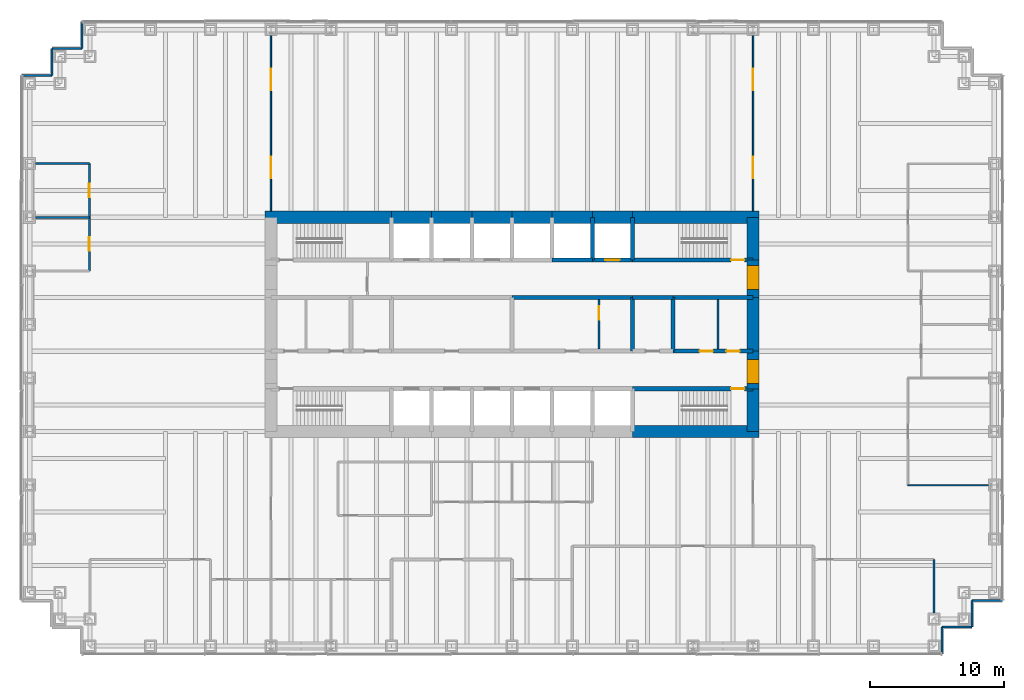
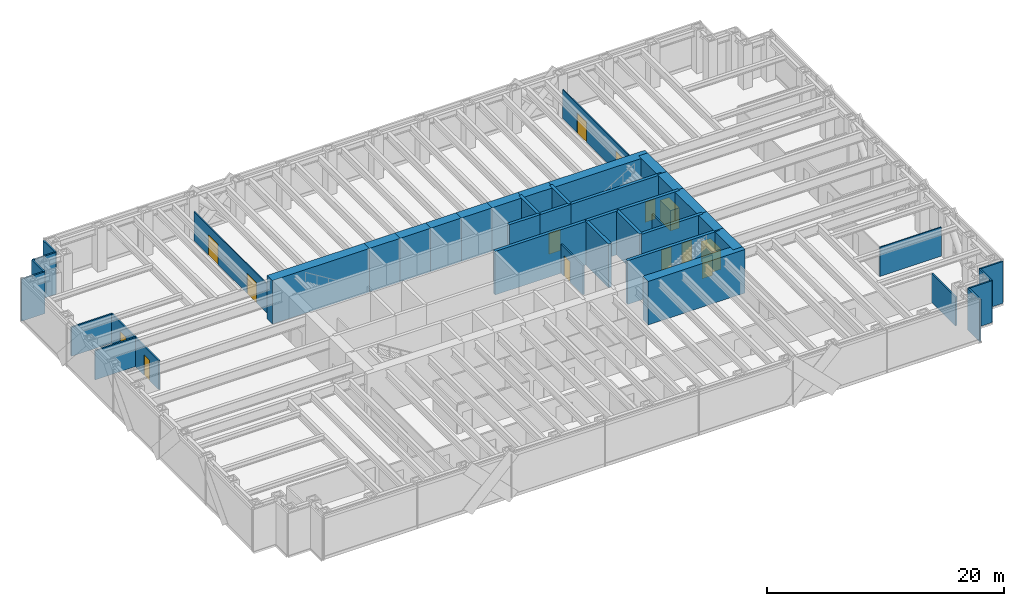
# One storey, part 11 of 13: 43 walls, 14 doors, 14 openings.
"""IFC4 building model written with IfcOpenShell, lengths in metres."""

from ifc_helpers import new_model, si_unit, direction, frame, frame_2d, origin, place, context, subcontext, project, spatial, rectangle, extrude, material, layer, layer_set, type_object, element, fill, save


model = new_model("IFC4")

# Units and contexts
model_context = context("Model", 3, precision=1e-05, world=origin(), true_north=direction((0.0, 1.0)))
body_context = subcontext(model_context, "Body", "Model", "MODEL_VIEW")
ifc_project = project(units=[si_unit("LENGTHUNIT", "METRE"), si_unit("AREAUNIT", "SQUARE_METRE"), si_unit("VOLUMEUNIT", "CUBIC_METRE"), si_unit("PLANEANGLEUNIT", "RADIAN"), si_unit("MASSUNIT", "GRAM", prefix="KILO")], contexts=[model_context])

# Site, building, storey
site_placement = place(None, origin())
site = spatial("IfcSite", under=ifc_project, at=site_placement, CompositionType="ELEMENT")
building_placement = place(site_placement, origin())
building = spatial("IfcBuilding", under=site, at=building_placement, Name="Rheinbord Bourse Tower", CompositionType="ELEMENT")
storey_placement = place(building_placement, frame((0.0, 0.0, 45.5)))
storey = spatial("IfcBuildingStorey", under=building, at=storey_placement, Name="L09", CompositionType="ELEMENT", Elevation=45.5)

# Wall, opening, door
ifc_material_1 = material(Name="Concrete C50/60", Category="concrete")
ifc_layer_1 = layer(ifc_material_1, 0.300048828125)
ifc_layer_set_1 = layer_set([ifc_layer_1], Name="CORE INNER WALL 300")
wall_type_1 = type_object("IfcWallType", Name="CORE INNER WALL 300", PredefinedType="SOLIDWALL", material=ifc_layer_set_1)
wall_1_placement = place(storey_placement, frame((45.0, 19.199951171875, 0.0), z_axis=(0.0, 0.0, 1.0), x_axis=(1.0, 0.0, 0.0)))
wall_1 = element("IfcWall", 1, at=wall_1_placement, inside=storey, type_object=wall_type_1, Name="Core wall A8 L09", PredefinedType="SOLIDWALL", context=body_context, shape_type="SweptSolid", body=[
    extrude(rectangle(XDim=9.0, YDim=0.300048828125, at=frame_2d((4.5, 0.0))), origin(), (0.0, 0.0, 1.0), 4.5),
])
opening_1_placement = place(wall_1_placement, frame((7.35009765625, 0.0, 0.0)))
opening_1 = element("IfcOpeningElement", 2, at=opening_1_placement, cuts=wall_1, Name="Opening 0930", PredefinedType="OPENING", context=body_context, shape_type="SweptSolid", body=[
    extrude(rectangle(XDim=1.0, YDim=2.10009765625, at=frame_2d((0.5, 1.050048828125))), frame((0.0, 0.159912109375, 0.0), z_axis=(0.0, -1.0, 0.0), x_axis=(1.0, 0.0, 0.0)), (0.0, 0.0, 1.0), 0.320068359375),
])
ifc_material_2 = material(Name="Steel door", Category="steel")
door_type_1 = type_object("IfcDoorType", Name="DOOR 1000 EI30", OperationType="SINGLE_SWING_LEFT", PredefinedType="DOOR", material=ifc_material_2)
door_1_placement = place(opening_1_placement, origin())
door_1 = element("IfcDoor", 3, at=door_1_placement, inside=storey, type_object=door_type_1, Name="Stair door ST3 L09", OperationType="SINGLE_SWING_RIGHT", OverallHeight=2.10009765625, OverallWidth=1.0, PredefinedType="DOOR", context=body_context, shape_type="SweptSolid", body=[
    extrude(rectangle(XDim=1.0, YDim=2.10009765625, at=frame_2d((0.5, 1.050048828125))), frame((0.0, 0.02490234375, 0.0), z_axis=(0.0, -1.0, 0.0), x_axis=(1.0, 0.0, 0.0)), (0.0, 0.0, 1.0), 0.050048828125),
])
fill(opening_1, door_1)

# Wall
wall_2_placement = place(storey_placement, frame((39.0, 28.800048828125, 0.0), z_axis=(0.0, 0.0, 1.0), x_axis=(1.0, 0.0, 0.0)))
element("IfcWall", 4, at=wall_2_placement, inside=storey, type_object=wall_type_1, Name="Core wall B6 L09", PredefinedType="SOLIDWALL", context=body_context, shape_type="SweptSolid", body=[
    extrude(rectangle(XDim=3.0, YDim=0.300048828125, at=frame_2d((1.5, 0.0))), origin(), (0.0, 0.0, 1.0), 4.5),
])

# Wall, opening, door
wall_3_placement = place(storey_placement, frame((42.0, 28.800048828125, 0.0), z_axis=(0.0, 0.0, 1.0), x_axis=(1.0, 0.0, 0.0)))
wall_3 = element("IfcWall", 5, at=wall_3_placement, inside=storey, type_object=wall_type_1, Name="Core wall B7 L09", PredefinedType="SOLIDWALL", context=body_context, shape_type="SweptSolid", body=[
    extrude(rectangle(XDim=3.0, YDim=0.300048828125, at=frame_2d((1.5, 0.0))), origin(), (0.0, 0.0, 1.0), 4.5),
])
opening_2_placement = place(wall_3_placement, frame((0.949951171875, 0.0, 0.0)))
opening_2 = element("IfcOpeningElement", 6, at=opening_2_placement, cuts=wall_3, Name="Opening FL2", PredefinedType="OPENING", context=body_context, shape_type="SweptSolid", body=[
    extrude(rectangle(XDim=1.10009765625, YDim=2.199951171875, at=frame_2d((0.550048828125, 1.10009765625))), frame((0.0, 0.159912109375, 0.0), z_axis=(0.0, -1.0, 0.0), x_axis=(1.0, 0.0, 0.0)), (0.0, 0.0, 1.0), 0.320068359375),
])
ifc_material_3 = material(Name="Steel landing door", Category="steel")
door_type_2 = type_object("IfcDoorType", Name="LIFT LANDING DOOR 1100", OperationType="DOUBLE_DOOR_SLIDING", PredefinedType="USERDEFINED", material=ifc_material_3)
door_2_placement = place(opening_2_placement, origin())
door_2 = element("IfcDoor", 7, at=door_2_placement, inside=storey, type_object=door_type_2, Name="Lift landing door FL2 L09", ObjectType="LIFT LANDING DOOR", OperationType="DOUBLE_DOOR_SLIDING", OverallHeight=2.199951171875, OverallWidth=1.10009765625, PredefinedType="USERDEFINED", context=body_context, shape_type="SweptSolid", body=[
    extrude(rectangle(XDim=1.10009765625, YDim=2.199951171875, at=frame_2d((0.550048828125, 1.10009765625))), frame((0.0, 0.02490234375, 0.0), z_axis=(0.0, -1.0, 0.0), x_axis=(1.0, 0.0, 0.0)), (0.0, 0.0, 1.0), 0.050048828125),
])
fill(opening_2, door_2)

wall_4_placement = place(storey_placement, frame((45.0, 28.800048828125, 0.0), z_axis=(0.0, 0.0, 1.0), x_axis=(1.0, 0.0, 0.0)))
wall_4 = element("IfcWall", 8, at=wall_4_placement, inside=storey, type_object=wall_type_1, Name="Core wall B8 L09", PredefinedType="SOLIDWALL", context=body_context, shape_type="SweptSolid", body=[
    extrude(rectangle(XDim=9.0, YDim=0.300048828125, at=frame_2d((4.5, 0.0))), origin(), (0.0, 0.0, 1.0), 4.5),
])
opening_3_placement = place(wall_4_placement, frame((7.35009765625, 0.0, 0.0)))
opening_3 = element("IfcOpeningElement", 9, at=opening_3_placement, cuts=wall_4, Name="Opening 0940", PredefinedType="OPENING", context=body_context, shape_type="SweptSolid", body=[
    extrude(rectangle(XDim=1.0, YDim=2.10009765625, at=frame_2d((0.5, 1.050048828125))), frame((0.0, 0.159912109375, 0.0), z_axis=(0.0, -1.0, 0.0), x_axis=(1.0, 0.0, 0.0)), (0.0, 0.0, 1.0), 0.320068359375),
])
door_3_placement = place(opening_3_placement, origin())
door_3 = element("IfcDoor", 10, at=door_3_placement, inside=storey, type_object=door_type_1, Name="Stair door ST4 L09", OperationType="SINGLE_SWING_RIGHT", OverallHeight=2.10009765625, OverallWidth=1.0, PredefinedType="DOOR", context=body_context, shape_type="SweptSolid", body=[
    extrude(rectangle(XDim=1.0, YDim=2.10009765625, at=frame_2d((0.5, 1.050048828125))), frame((0.0, 0.02490234375, 0.0), z_axis=(0.0, -1.0, 0.0), x_axis=(1.0, 0.0, 0.0)), (0.0, 0.0, 1.0), 0.050048828125),
])
fill(opening_3, door_3)

# Wall, openings, doors
wall_5_placement = place(storey_placement, frame((48.0, 22.0, 0.0), z_axis=(0.0, 0.0, 1.0), x_axis=(1.0, 0.0, 0.0)))
wall_5 = element("IfcWall", 11, at=wall_5_placement, inside=storey, type_object=wall_type_1, Name="Core wall C6 L09", PredefinedType="SOLIDWALL", context=body_context, shape_type="SweptSolid", body=[
    extrude(rectangle(XDim=6.0, YDim=0.300048828125, at=frame_2d((3.0, 0.0))), origin(), (0.0, 0.0, 1.0), 4.5),
])
opening_4_placement = place(wall_5_placement, frame((2.0, 0.0, 0.0)))
opening_4 = element("IfcOpeningElement", 12, at=opening_4_placement, cuts=wall_5, Name="Opening 09R6", PredefinedType="OPENING", context=body_context, shape_type="SweptSolid", body=[
    extrude(rectangle(XDim=1.0, YDim=2.10009765625, at=frame_2d((0.5, 1.050048828125))), frame((0.0, 0.159912109375, 0.0), z_axis=(0.0, -1.0, 0.0), x_axis=(1.0, 0.0, 0.0)), (0.0, 0.0, 1.0), 0.320068359375),
])
opening_5_placement = place(wall_5_placement, frame((4.0, 0.0, 0.0)))
opening_5 = element("IfcOpeningElement", 13, at=opening_5_placement, cuts=wall_5, Name="Opening 09R10", PredefinedType="OPENING", context=body_context, shape_type="SweptSolid", body=[
    extrude(rectangle(XDim=1.0, YDim=2.10009765625, at=frame_2d((0.5, 1.050048828125))), frame((0.0, 0.159912109375, 0.0), z_axis=(0.0, -1.0, 0.0), x_axis=(1.0, 0.0, 0.0)), (0.0, 0.0, 1.0), 0.320068359375),
])
door_4_placement = place(opening_5_placement, origin())
door_4 = element("IfcDoor", 14, at=door_4_placement, inside=storey, type_object=door_type_1, Name="Cleaner's store door L09", OperationType="SINGLE_SWING_RIGHT", OverallHeight=2.10009765625, OverallWidth=1.0, PredefinedType="DOOR", context=body_context, shape_type="SweptSolid", body=[
    extrude(rectangle(XDim=1.0, YDim=2.10009765625, at=frame_2d((0.5, 1.050048828125))), frame((0.0, 0.02490234375, 0.0), z_axis=(0.0, -1.0, 0.0), x_axis=(1.0, 0.0, 0.0)), (0.0, 0.0, 1.0), 0.050048828125),
])
fill(opening_5, door_4)
ifc_material_4 = material(Name="Timber door", Category="wood")
door_type_3 = type_object("IfcDoorType", Name="DOOR 1000 WC", OperationType="SINGLE_SWING_LEFT", PredefinedType="DOOR", material=ifc_material_4)
door_5_placement = place(opening_4_placement, origin())
door_5 = element("IfcDoor", 15, at=door_5_placement, inside=storey, type_object=door_type_3, Name="WC women door L09", OperationType="SINGLE_SWING_LEFT", OverallHeight=2.10009765625, OverallWidth=1.0, PredefinedType="DOOR", context=body_context, shape_type="SweptSolid", body=[
    extrude(rectangle(XDim=1.0, YDim=2.10009765625, at=frame_2d((0.5, 1.050048828125))), frame((0.0, 0.02490234375, 0.0), z_axis=(0.0, -1.0, 0.0), x_axis=(1.0, 0.0, 0.0)), (0.0, 0.0, 1.0), 0.050048828125),
])
fill(opening_4, door_5)

# Walls
wall_6_placement = place(storey_placement, frame((36.0, 26.0, 0.0), z_axis=(0.0, 0.0, 1.0), x_axis=(1.0, 0.0, 0.0)))
element("IfcWall", 16, at=wall_6_placement, inside=storey, type_object=wall_type_1, Name="Core wall D4 L09", PredefinedType="SOLIDWALL", context=body_context, shape_type="SweptSolid", body=[
    extrude(rectangle(XDim=9.0, YDim=0.300048828125, at=frame_2d((4.5, 0.0))), origin(), (0.0, 0.0, 1.0), 4.5),
])
wall_7_placement = place(storey_placement, frame((45.0, 26.0, 0.0), z_axis=(0.0, 0.0, 1.0), x_axis=(1.0, 0.0, 0.0)))
element("IfcWall", 17, at=wall_7_placement, inside=storey, type_object=wall_type_1, Name="Core wall D5 L09", PredefinedType="SOLIDWALL", context=body_context, shape_type="SweptSolid", body=[
    extrude(rectangle(XDim=3.0, YDim=0.300048828125, at=frame_2d((1.5, 0.0))), origin(), (0.0, 0.0, 1.0), 4.5),
])
wall_8_placement = place(storey_placement, frame((48.0, 26.0, 0.0), z_axis=(0.0, 0.0, 1.0), x_axis=(1.0, 0.0, 0.0)))
element("IfcWall", 18, at=wall_8_placement, inside=storey, type_object=wall_type_1, Name="Core wall D6 L09", PredefinedType="SOLIDWALL", context=body_context, shape_type="SweptSolid", body=[
    extrude(rectangle(XDim=6.0, YDim=0.300048828125, at=frame_2d((3.0, 0.0))), origin(), (0.0, 0.0, 1.0), 4.5),
])
for number, where, z_axis, x_axis, name in (
    (19, (42.0, 28.800048828125, 0.0), (0.0, 0.0, 1.0), (0.0, 1.0, 0.0), "Core wall NX42 L09"),
    (20, (45.0, 28.800048828125, 0.0), (0.0, 0.0, 1.0), (0.0, 1.0, 0.0), "Core wall NX45 L09"),
):
    element("IfcWall", number, at=place(storey_placement, frame(where, z_axis=z_axis, x_axis=x_axis)), inside=storey, type_object=wall_type_1, Name=name, PredefinedType="SOLIDWALL", context=body_context, shape_type="SweptSolid", body=[
        extrude(rectangle(XDim=3.199951171875, YDim=0.300048828125, at=frame_2d((1.60009765625, 0.0))), origin(), (0.0, 0.0, 1.0), 4.5),
    ])
for number, where, z_axis, x_axis, name in (
    (21, (45.0, 22.0, 0.0), (0.0, 0.0, 1.0), (0.0, 1.0, 0.0), "Core wall MX45 L09"),
    (22, (48.0, 22.0, 0.0), (0.0, 0.0, 1.0), (0.0, 1.0, 0.0), "Core wall MX48 L09"),
):
    element("IfcWall", number, at=place(storey_placement, frame(where, z_axis=z_axis, x_axis=x_axis)), inside=storey, type_object=wall_type_1, Name=name, PredefinedType="SOLIDWALL", context=body_context, shape_type="SweptSolid", body=[
        extrude(rectangle(XDim=4.0, YDim=0.300048828125, at=frame_2d((2.0, 0.0))), origin(), (0.0, 0.0, 1.0), 4.5),
    ])

# Wall, opening, door
ifc_material_5 = material(Name="Gypsum board fire partition", Category="gypsum board")
ifc_layer_2 = layer(ifc_material_5, 0.14990234375)
ifc_layer_set_2 = layer_set([ifc_layer_2], Name="CORE PARTITION 150 EI30")
wall_type_2 = type_object("IfcWallType", Name="CORE PARTITION 150 EI30", PredefinedType="PARTITIONING", material=ifc_layer_set_2)
wall_9_placement = place(storey_placement, frame((42.5, 22.14990234375, 0.0), z_axis=(0.0, 0.0, 1.0), x_axis=(0.0, 1.0, 0.0)))
wall_9 = element("IfcWall", 23, at=wall_9_placement, inside=storey, type_object=wall_type_2, Name="Core partition L09-1", PredefinedType="PARTITIONING", context=body_context, shape_type="SweptSolid", body=[
    extrude(rectangle(XDim=3.7001953125, YDim=0.14990234375, at=frame_2d((1.85009765625, 0.0))), origin(), (0.0, 0.0, 1.0), 3.0),
])
opening_6_placement = place(wall_9_placement, frame((2.199951171875, 0.0, 0.0)))
opening_6 = element("IfcOpeningElement", 24, at=opening_6_placement, cuts=wall_9, Name="Opening 09R7", PredefinedType="OPENING", context=body_context, shape_type="SweptSolid", body=[
    extrude(rectangle(XDim=1.0, YDim=2.10009765625, at=frame_2d((0.5, 1.050048828125))), frame((0.0, 0.0849609375, 0.0), z_axis=(0.0, -1.0, 0.0), x_axis=(1.0, 0.0, 0.0)), (0.0, 0.0, 1.0), 0.169921875),
])
door_6_placement = place(opening_6_placement, origin())
door_6 = element("IfcDoor", 25, at=door_6_placement, inside=storey, type_object=door_type_1, Name="Paper store door L09", OperationType="SINGLE_SWING_RIGHT", OverallHeight=2.10009765625, OverallWidth=1.0, PredefinedType="DOOR", context=body_context, shape_type="SweptSolid", body=[
    extrude(rectangle(XDim=1.0, YDim=2.10009765625, at=frame_2d((0.5, 1.050048828125))), frame((0.0, 0.02490234375, 0.0), z_axis=(0.0, -1.0, 0.0), x_axis=(1.0, 0.0, 0.0)), (0.0, 0.0, 1.0), 0.050048828125),
])
fill(opening_6, door_6)

# Walls
wall_10_placement = place(storey_placement, frame((51.375, 22.14990234375, 0.0), z_axis=(0.0, 0.0, 1.0), x_axis=(0.0, 1.0, 0.0)))
element("IfcWall", 26, at=wall_10_placement, inside=storey, type_object=wall_type_2, Name="Core partition L09-3", PredefinedType="PARTITIONING", context=body_context, shape_type="SweptSolid", body=[
    extrude(rectangle(XDim=3.7001953125, YDim=0.14990234375, at=frame_2d((1.85009765625, 0.0))), origin(), (0.0, 0.0, 1.0), 3.0),
])
ifc_material_6 = material(Name="Concrete C50/60", Category="concrete")
ifc_layer_3 = layer(ifc_material_6, 0.89990234375)
ifc_layer_set_3 = layer_set([ifc_layer_3], Name="CORE WALL 900")
wall_type_3 = type_object("IfcWallType", Name="CORE WALL 900", PredefinedType="SHEAR", material=ifc_layer_set_3)
for number, where, z_axis, x_axis, name in (
    (27, (45.0, 16.0, 0.0), (0.0, 0.0, 1.0), (1.0, 0.0, 0.0), "Core wall S8 L09"),
    (28, (54.449951171875, 32.0, 0.0), (0.0, 0.0, 1.0), (-1.0, 0.0, 0.0), "Core wall N1 L09"),
):
    element("IfcWall", number, at=place(storey_placement, frame(where, z_axis=z_axis, x_axis=x_axis)), inside=storey, type_object=wall_type_3, Name=name, PredefinedType="SHEAR", context=body_context, shape_type="SweptSolid", body=[
        extrude(rectangle(XDim=9.449951171875, YDim=0.89990234375, at=frame_2d((4.72509765625, 0.0))), origin(), (0.0, 0.0, 1.0), 4.5),
    ])
for number, where, z_axis, x_axis, name in (
    (29, (45.0, 32.0, 0.0), (0.0, 0.0, 1.0), (-1.0, 0.0, 0.0), "Core wall N2 L09"),
    (30, (42.0, 32.0, 0.0), (0.0, 0.0, 1.0), (-1.0, 0.0, 0.0), "Core wall N3 L09"),
    (31, (39.0, 32.0, 0.0), (0.0, 0.0, 1.0), (-1.0, 0.0, 0.0), "Core wall N4 L09"),
    (32, (36.0, 32.0, 0.0), (0.0, 0.0, 1.0), (-1.0, 0.0, 0.0), "Core wall N5 L09"),
    (33, (33.0, 32.0, 0.0), (0.0, 0.0, 1.0), (-1.0, 0.0, 0.0), "Core wall N6 L09"),
    (34, (30.0, 32.0, 0.0), (0.0, 0.0, 1.0), (-1.0, 0.0, 0.0), "Core wall N7 L09"),
):
    element("IfcWall", number, at=place(storey_placement, frame(where, z_axis=z_axis, x_axis=x_axis)), inside=storey, type_object=wall_type_3, Name=name, PredefinedType="SHEAR", context=body_context, shape_type="SweptSolid", body=[
        extrude(rectangle(XDim=3.0, YDim=0.89990234375, at=frame_2d((1.5, 0.0))), origin(), (0.0, 0.0, 1.0), 4.5),
    ])
wall_11_placement = place(storey_placement, frame((27.0, 32.0, 0.0), z_axis=(0.0, 0.0, 1.0), x_axis=(-1.0, 0.0, 0.0)))
element("IfcWall", 35, at=wall_11_placement, inside=storey, type_object=wall_type_3, Name="Core wall N8 L09", PredefinedType="SHEAR", context=body_context, shape_type="SweptSolid", body=[
    extrude(rectangle(XDim=9.449951171875, YDim=0.89990234375, at=frame_2d((4.72509765625, 0.0))), origin(), (0.0, 0.0, 1.0), 4.5),
])
wall_12_placement = place(storey_placement, frame((54.0, 16.0, 0.0), z_axis=(0.0, 0.0, 1.0), x_axis=(0.0, 1.0, 0.0)))
element("IfcWall", 36, at=wall_12_placement, inside=storey, type_object=wall_type_3, Name="Core wall E1 L09", PredefinedType="SHEAR", context=body_context, shape_type="SweptSolid", body=[
    extrude(rectangle(XDim=3.199951171875, YDim=0.89990234375, at=frame_2d((1.60009765625, 0.0))), origin(), (0.0, 0.0, 1.0), 4.5),
])

# Wall, opening, door
wall_13_placement = place(storey_placement, frame((54.0, 19.199951171875, 0.0), z_axis=(0.0, 0.0, 1.0), x_axis=(0.0, 1.0, 0.0)))
wall_13 = element("IfcWall", 37, at=wall_13_placement, inside=storey, type_object=wall_type_3, Name="Core wall E2 L09", PredefinedType="SHEAR", context=body_context, shape_type="SweptSolid", body=[
    extrude(rectangle(XDim=2.800048828125, YDim=0.89990234375, at=frame_2d((1.39990234375, 0.0))), origin(), (0.0, 0.0, 1.0), 4.5),
])
opening_7_placement = place(wall_13_placement, frame((0.39990234375, 0.0, 0.0)))
opening_7 = element("IfcOpeningElement", 38, at=opening_7_placement, cuts=wall_13, Name="Opening 09L3", PredefinedType="OPENING", context=body_context, shape_type="SweptSolid", body=[
    extrude(rectangle(XDim=1.800048828125, YDim=2.10009765625, at=frame_2d((0.89990234375, 1.050048828125))), frame((0.0, 0.4599609375, 0.0), z_axis=(0.0, -1.0, 0.0), x_axis=(1.0, 0.0, 0.0)), (0.0, 0.0, 1.0), 0.919921875),
])
ifc_material_7 = material(Name="Steel door", Category="steel")
door_type_4 = type_object("IfcDoorType", Name="DOOR 1800 EI30 DOUBLE", OperationType="DOUBLE_DOOR_DOUBLE_SWING", PredefinedType="DOOR", material=ifc_material_7)
door_7_placement = place(opening_7_placement, origin())
door_7 = element("IfcDoor", 39, at=door_7_placement, inside=storey, type_object=door_type_4, Name="Lobby door 3 L09", OperationType="SINGLE_SWING_LEFT", OverallHeight=2.10009765625, OverallWidth=1.800048828125, PredefinedType="DOOR", context=body_context, shape_type="SweptSolid", body=[
    extrude(rectangle(XDim=1.800048828125, YDim=2.10009765625, at=frame_2d((0.89990234375, 1.050048828125))), frame((0.0, 0.44970703125, 0.0), z_axis=(0.0, -1.0, 0.0), x_axis=(1.0, 0.0, 0.0)), (0.0, 0.0, 1.0), 0.8994140625),
])
fill(opening_7, door_7)

# Wall
wall_14_placement = place(storey_placement, frame((54.0, 22.0, 0.0), z_axis=(0.0, 0.0, 1.0), x_axis=(0.0, 1.0, 0.0)))
element("IfcWall", 40, at=wall_14_placement, inside=storey, type_object=wall_type_3, Name="Core wall E3 L09", PredefinedType="SHEAR", context=body_context, shape_type="SweptSolid", body=[
    extrude(rectangle(XDim=4.0, YDim=0.89990234375, at=frame_2d((2.0, 0.0))), origin(), (0.0, 0.0, 1.0), 4.5),
])

# Wall, opening, door
wall_15_placement = place(storey_placement, frame((54.0, 26.0, 0.0), z_axis=(0.0, 0.0, 1.0), x_axis=(0.0, 1.0, 0.0)))
wall_15 = element("IfcWall", 41, at=wall_15_placement, inside=storey, type_object=wall_type_3, Name="Core wall E4 L09", PredefinedType="SHEAR", context=body_context, shape_type="SweptSolid", body=[
    extrude(rectangle(XDim=2.800048828125, YDim=0.89990234375, at=frame_2d((1.39990234375, 0.0))), origin(), (0.0, 0.0, 1.0), 4.5),
])
opening_8_placement = place(wall_15_placement, frame((0.60009765625, 0.0, 0.0)))
opening_8 = element("IfcOpeningElement", 42, at=opening_8_placement, cuts=wall_15, Name="Opening 09L4", PredefinedType="OPENING", context=body_context, shape_type="SweptSolid", body=[
    extrude(rectangle(XDim=1.800048828125, YDim=2.10009765625, at=frame_2d((0.89990234375, 1.050048828125))), frame((0.0, 0.4599609375, 0.0), z_axis=(0.0, -1.0, 0.0), x_axis=(1.0, 0.0, 0.0)), (0.0, 0.0, 1.0), 0.919921875),
])
door_8_placement = place(opening_8_placement, origin())
door_8 = element("IfcDoor", 43, at=door_8_placement, inside=storey, type_object=door_type_4, Name="Lobby door 4 L09", OperationType="SINGLE_SWING_LEFT", OverallHeight=2.10009765625, OverallWidth=1.800048828125, PredefinedType="DOOR", context=body_context, shape_type="SweptSolid", body=[
    extrude(rectangle(XDim=1.800048828125, YDim=2.10009765625, at=frame_2d((0.89990234375, 1.050048828125))), frame((0.0, 0.44970703125, 0.0), z_axis=(0.0, -1.0, 0.0), x_axis=(1.0, 0.0, 0.0)), (0.0, 0.0, 1.0), 0.8994140625),
])
fill(opening_8, door_8)

# Walls
wall_16_placement = place(storey_placement, frame((54.0, 28.800048828125, 0.0), z_axis=(0.0, 0.0, 1.0), x_axis=(0.0, 1.0, 0.0)))
element("IfcWall", 44, at=wall_16_placement, inside=storey, type_object=wall_type_3, Name="Core wall E5 L09", PredefinedType="SHEAR", context=body_context, shape_type="SweptSolid", body=[
    extrude(rectangle(XDim=3.199951171875, YDim=0.89990234375, at=frame_2d((1.60009765625, 0.0))), origin(), (0.0, 0.0, 1.0), 4.5),
])
ifc_material_8 = material(Name="Black metal rainscreen panel", Category="aluminium")
ifc_layer_4 = layer(ifc_material_8, 0.14990234375)
ifc_layer_set_4 = layer_set([ifc_layer_4], Name="CORNER PIER CLADDING 150")
wall_type_4 = type_object("IfcWallType", Name="CORNER PIER CLADDING 150", PredefinedType="ELEMENTEDWALL", material=ifc_layer_set_4)
wall_17_placement = place(storey_placement, frame((68.10009765625, -0.60009765625, 0.0), z_axis=(0.0, 0.0, 1.0), x_axis=(0.0, 1.0, 0.0)))
element("IfcWall", 45, at=wall_17_placement, inside=storey, type_object=wall_type_4, Name="Corner pier cladding L09 2", PredefinedType="ELEMENTEDWALL", context=body_context, shape_type="SweptSolid", body=[
    extrude(rectangle(XDim=2.0, YDim=0.14990234375, at=frame_2d((1.0, 0.0))), origin(), (0.0, 0.0, 1.0), 4.320068359375),
])
wall_18_placement = place(storey_placement, frame((68.10009765625, 1.39990234375, 0.0), z_axis=(0.0, 0.0, 1.0), x_axis=(1.0, 0.0, 0.0)))
element("IfcWall", 46, at=wall_18_placement, inside=storey, type_object=wall_type_4, Name="Corner pier cladding L09 3", PredefinedType="ELEMENTEDWALL", context=body_context, shape_type="SweptSolid", body=[
    extrude(rectangle(XDim=2.25, YDim=0.14990234375, at=frame_2d((1.125, 0.0))), origin(), (0.0, 0.0, 1.0), 4.320068359375),
])
wall_19_placement = place(storey_placement, frame((70.35009765625, 1.39990234375, 0.0), z_axis=(0.0, 0.0, 1.0), x_axis=(0.0, 1.0, 0.0)))
element("IfcWall", 47, at=wall_19_placement, inside=storey, type_object=wall_type_4, Name="Corner pier cladding L09 4", PredefinedType="ELEMENTEDWALL", context=body_context, shape_type="SweptSolid", body=[
    extrude(rectangle(XDim=2.0, YDim=0.14990234375, at=frame_2d((1.0, 0.0))), origin(), (0.0, 0.0, 1.0), 4.320068359375),
])
wall_20_placement = place(storey_placement, frame((70.35009765625, 3.39990234375, 0.0), z_axis=(0.0, 0.0, 1.0), x_axis=(1.0, 0.0, 0.0)))
element("IfcWall", 48, at=wall_20_placement, inside=storey, type_object=wall_type_4, Name="Corner pier cladding L09 5", PredefinedType="ELEMENTEDWALL", context=body_context, shape_type="SweptSolid", body=[
    extrude(rectangle(XDim=2.25, YDim=0.14990234375, at=frame_2d((1.125, 0.0))), origin(), (0.0, 0.0, 1.0), 4.320068359375),
])
wall_21_placement = place(storey_placement, frame((3.89990234375, 46.60009765625, 0.0), z_axis=(0.0, 0.0, 1.0), x_axis=(0.0, -1.0, 0.0)))
element("IfcWall", 49, at=wall_21_placement, inside=storey, type_object=wall_type_4, Name="Corner pier cladding L09 12", PredefinedType="ELEMENTEDWALL", context=body_context, shape_type="SweptSolid", body=[
    extrude(rectangle(XDim=2.0, YDim=0.14990234375, at=frame_2d((1.0, 0.0))), origin(), (0.0, 0.0, 1.0), 4.320068359375),
])
wall_22_placement = place(storey_placement, frame((3.89990234375, 44.60009765625, 0.0), z_axis=(0.0, 0.0, 1.0), x_axis=(-1.0, 0.0, 0.0)))
element("IfcWall", 50, at=wall_22_placement, inside=storey, type_object=wall_type_4, Name="Corner pier cladding L09 13", PredefinedType="ELEMENTEDWALL", context=body_context, shape_type="SweptSolid", body=[
    extrude(rectangle(XDim=2.25, YDim=0.14990234375, at=frame_2d((1.125, 0.0))), origin(), (0.0, 0.0, 1.0), 4.320068359375),
])
wall_23_placement = place(storey_placement, frame((1.64990234375, 44.60009765625, 0.0), z_axis=(0.0, 0.0, 1.0), x_axis=(0.0, -1.0, 0.0)))
element("IfcWall", 51, at=wall_23_placement, inside=storey, type_object=wall_type_4, Name="Corner pier cladding L09 14", PredefinedType="ELEMENTEDWALL", context=body_context, shape_type="SweptSolid", body=[
    extrude(rectangle(XDim=2.0, YDim=0.14990234375, at=frame_2d((1.0, 0.0))), origin(), (0.0, 0.0, 1.0), 4.320068359375),
])
wall_24_placement = place(storey_placement, frame((1.64990234375, 42.60009765625, 0.0), z_axis=(0.0, 0.0, 1.0), x_axis=(-1.0, 0.0, 0.0)))
element("IfcWall", 52, at=wall_24_placement, inside=storey, type_object=wall_type_4, Name="Corner pier cladding L09 15", PredefinedType="ELEMENTEDWALL", context=body_context, shape_type="SweptSolid", body=[
    extrude(rectangle(XDim=2.25, YDim=0.14990234375, at=frame_2d((1.125, 0.0))), origin(), (0.0, 0.0, 1.0), 4.320068359375),
])
ifc_material_9 = material(Name="Toughened laminated glass partition", Category="glass")
ifc_layer_5 = layer(ifc_material_9, 0.10009765625)
ifc_layer_set_5 = layer_set([ifc_layer_5], Name="GLAZED PARTITION 100")
wall_type_5 = type_object("IfcWallType", Name="GLAZED PARTITION 100", PredefinedType="PARTITIONING", material=ifc_layer_set_5)
wall_25_placement = place(storey_placement, frame((65.550048828125, 12.0, 0.0), z_axis=(0.0, 0.0, 1.0), x_axis=(1.0, 0.0, 0.0)))
element("IfcWall", 53, at=wall_25_placement, inside=storey, type_object=wall_type_5, Name="Partition L09-09", PredefinedType="PARTITIONING", context=body_context, shape_type="SweptSolid", body=[
    extrude(rectangle(XDim=6.0, YDim=0.10009765625, at=frame_2d((3.0, 0.0))), origin(), (0.0, 0.0, 1.0), 3.0),
])

# Wall, openings, doors
wall_26_placement = place(storey_placement, frame((18.0, 32.449951171875, 0.0), z_axis=(0.0, 0.0, 1.0), x_axis=(0.0, 1.0, 0.0)))
wall_26 = element("IfcWall", 54, at=wall_26_placement, inside=storey, type_object=wall_type_5, Name="Partition L09-25", PredefinedType="PARTITIONING", context=body_context, shape_type="SweptSolid", body=[
    extrude(rectangle(XDim=13.10009765625, YDim=0.10009765625, at=frame_2d((6.550048828125, 0.0))), origin(), (0.0, 0.0, 1.0), 3.0),
])
opening_9_placement = place(wall_26_placement, frame((2.47509765625, 0.0, 0.0)))
opening_9 = element("IfcOpeningElement", 55, at=opening_9_placement, cuts=wall_26, Name="Opening 09D21", PredefinedType="OPENING", context=body_context, shape_type="SweptSolid", body=[
    extrude(rectangle(XDim=1.60009765625, YDim=2.10009765625, at=frame_2d((0.800048828125, 1.050048828125))), frame((0.0, 0.06005859375, 0.0), z_axis=(0.0, -1.0, 0.0), x_axis=(1.0, 0.0, 0.0)), (0.0, 0.0, 1.0), 0.1201171875),
])
opening_10_placement = place(wall_26_placement, frame((9.02490234375, 0.0, 0.0)))
opening_10 = element("IfcOpeningElement", 56, at=opening_10_placement, cuts=wall_26, Name="Opening 09D22", PredefinedType="OPENING", context=body_context, shape_type="SweptSolid", body=[
    extrude(rectangle(XDim=1.60009765625, YDim=2.10009765625, at=frame_2d((0.800048828125, 1.050048828125))), frame((0.0, 0.06005859375, 0.0), z_axis=(0.0, -1.0, 0.0), x_axis=(1.0, 0.0, 0.0)), (0.0, 0.0, 1.0), 0.1201171875),
])
ifc_material_10 = material(Name="Timber door", Category="wood")
door_type_5 = type_object("IfcDoorType", Name="DOUBLE ROOM DOOR 1600", OperationType="DOUBLE_DOOR_DOUBLE_SWING", PredefinedType="DOOR", material=ifc_material_10)
door_9_placement = place(opening_9_placement, origin())
door_9 = element("IfcDoor", 57, at=door_9_placement, inside=storey, type_object=door_type_5, Name="Open area door L09", OperationType="SINGLE_SWING_LEFT", OverallHeight=2.10009765625, OverallWidth=1.60009765625, PredefinedType="DOOR", context=body_context, shape_type="SweptSolid", body=[
    extrude(rectangle(XDim=1.60009765625, YDim=2.10009765625, at=frame_2d((0.800048828125, 1.050048828125))), frame((0.0, 0.02490234375, 0.0), z_axis=(0.0, -1.0, 0.0), x_axis=(1.0, 0.0, 0.0)), (0.0, 0.0, 1.0), 0.050048828125),
])
fill(opening_9, door_9)
door_10_placement = place(opening_10_placement, origin())
door_10 = element("IfcDoor", 58, at=door_10_placement, inside=storey, type_object=door_type_5, Name="Open area door L09", OperationType="SINGLE_SWING_LEFT", OverallHeight=2.10009765625, OverallWidth=1.60009765625, PredefinedType="DOOR", context=body_context, shape_type="SweptSolid", body=[
    extrude(rectangle(XDim=1.60009765625, YDim=2.10009765625, at=frame_2d((0.800048828125, 1.050048828125))), frame((0.0, 0.02490234375, 0.0), z_axis=(0.0, -1.0, 0.0), x_axis=(1.0, 0.0, 0.0)), (0.0, 0.0, 1.0), 0.050048828125),
])
fill(opening_10, door_10)

wall_27_placement = place(storey_placement, frame((54.0, 32.449951171875, 0.0), z_axis=(0.0, 0.0, 1.0), x_axis=(0.0, 1.0, 0.0)))
wall_27 = element("IfcWall", 59, at=wall_27_placement, inside=storey, type_object=wall_type_5, Name="Partition L09-37", PredefinedType="PARTITIONING", context=body_context, shape_type="SweptSolid", body=[
    extrude(rectangle(XDim=13.10009765625, YDim=0.10009765625, at=frame_2d((6.550048828125, 0.0))), origin(), (0.0, 0.0, 1.0), 3.0),
])
opening_11_placement = place(wall_27_placement, frame((2.47509765625, 0.0, 0.0)))
opening_11 = element("IfcOpeningElement", 60, at=opening_11_placement, cuts=wall_27, Name="Opening 09D24", PredefinedType="OPENING", context=body_context, shape_type="SweptSolid", body=[
    extrude(rectangle(XDim=1.60009765625, YDim=2.10009765625, at=frame_2d((0.800048828125, 1.050048828125))), frame((0.0, 0.06005859375, 0.0), z_axis=(0.0, -1.0, 0.0), x_axis=(1.0, 0.0, 0.0)), (0.0, 0.0, 1.0), 0.1201171875),
])
opening_12_placement = place(wall_27_placement, frame((9.02490234375, 0.0, 0.0)))
opening_12 = element("IfcOpeningElement", 61, at=opening_12_placement, cuts=wall_27, Name="Opening 09D25", PredefinedType="OPENING", context=body_context, shape_type="SweptSolid", body=[
    extrude(rectangle(XDim=1.60009765625, YDim=2.10009765625, at=frame_2d((0.800048828125, 1.050048828125))), frame((0.0, 0.06005859375, 0.0), z_axis=(0.0, -1.0, 0.0), x_axis=(1.0, 0.0, 0.0)), (0.0, 0.0, 1.0), 0.1201171875),
])
door_11_placement = place(opening_11_placement, origin())
door_11 = element("IfcDoor", 62, at=door_11_placement, inside=storey, type_object=door_type_5, Name="Open area door L09", OperationType="SINGLE_SWING_LEFT", OverallHeight=2.10009765625, OverallWidth=1.60009765625, PredefinedType="DOOR", context=body_context, shape_type="SweptSolid", body=[
    extrude(rectangle(XDim=1.60009765625, YDim=2.10009765625, at=frame_2d((0.800048828125, 1.050048828125))), frame((0.0, 0.02490234375, 0.0), z_axis=(0.0, -1.0, 0.0), x_axis=(1.0, 0.0, 0.0)), (0.0, 0.0, 1.0), 0.050048828125),
])
fill(opening_11, door_11)
door_12_placement = place(opening_12_placement, origin())
door_12 = element("IfcDoor", 63, at=door_12_placement, inside=storey, type_object=door_type_5, Name="Open area door L09", OperationType="SINGLE_SWING_LEFT", OverallHeight=2.10009765625, OverallWidth=1.60009765625, PredefinedType="DOOR", context=body_context, shape_type="SweptSolid", body=[
    extrude(rectangle(XDim=1.60009765625, YDim=2.10009765625, at=frame_2d((0.800048828125, 1.050048828125))), frame((0.0, 0.02490234375, 0.0), z_axis=(0.0, -1.0, 0.0), x_axis=(1.0, 0.0, 0.0)), (0.0, 0.0, 1.0), 0.050048828125),
])
fill(opening_12, door_12)

# Walls
ifc_material_11 = material(Name="Gypsum board partition", Category="gypsum board")
ifc_layer_6 = layer(ifc_material_11, 0.14990234375)
ifc_layer_set_6 = layer_set([ifc_layer_6], Name="PARTITION 150")
wall_type_6 = type_object("IfcWallType", Name="PARTITION 150", PredefinedType="PARTITIONING", material=ifc_layer_set_6)
for number, where, z_axis, x_axis, name in (
    (64, (0.449951171875, 32.0, 0.0), (0.0, 0.0, 1.0), (1.0, 0.0, 0.0), "Partition L09-17"),
    (65, (0.449951171875, 36.0, 0.0), (0.0, 0.0, 1.0), (1.0, 0.0, 0.0), "Partition L09-18"),
):
    element("IfcWall", number, at=place(storey_placement, frame(where, z_axis=z_axis, x_axis=x_axis)), inside=storey, type_object=wall_type_6, Name=name, PredefinedType="PARTITIONING", context=body_context, shape_type="SweptSolid", body=[
        extrude(rectangle(XDim=4.0, YDim=0.14990234375, at=frame_2d((2.0, 0.0))), origin(), (0.0, 0.0, 1.0), 3.0),
    ])

# Wall, openings, doors
wall_28_placement = place(storey_placement, frame((4.449951171875, 28.0, 0.0), z_axis=(0.0, 0.0, 1.0), x_axis=(0.0, 1.0, 0.0)))
wall_28 = element("IfcWall", 66, at=wall_28_placement, inside=storey, type_object=wall_type_6, Name="Partition L09-20", PredefinedType="PARTITIONING", context=body_context, shape_type="SweptSolid", body=[
    extrude(rectangle(XDim=8.0, YDim=0.14990234375, at=frame_2d((4.0, 0.0))), origin(), (0.0, 0.0, 1.0), 3.0),
])
opening_13_placement = place(wall_28_placement, frame((1.5, 0.0, 0.0)))
opening_13 = element("IfcOpeningElement", 67, at=opening_13_placement, cuts=wall_28, Name="Opening 09D17", PredefinedType="OPENING", context=body_context, shape_type="SweptSolid", body=[
    extrude(rectangle(XDim=1.0, YDim=2.10009765625, at=frame_2d((0.5, 1.050048828125))), frame((0.0, 0.0849609375, 0.0), z_axis=(0.0, -1.0, 0.0), x_axis=(1.0, 0.0, 0.0)), (0.0, 0.0, 1.0), 0.169921875),
])
opening_14_placement = place(wall_28_placement, frame((5.5, 0.0, 0.0)))
opening_14 = element("IfcOpeningElement", 68, at=opening_14_placement, cuts=wall_28, Name="Opening 09D19", PredefinedType="OPENING", context=body_context, shape_type="SweptSolid", body=[
    extrude(rectangle(XDim=1.0, YDim=2.10009765625, at=frame_2d((0.5, 1.050048828125))), frame((0.0, 0.0849609375, 0.0), z_axis=(0.0, -1.0, 0.0), x_axis=(1.0, 0.0, 0.0)), (0.0, 0.0, 1.0), 0.169921875),
])
ifc_material_12 = material(Name="Timber door", Category="wood")
door_type_6 = type_object("IfcDoorType", Name="ROOM DOOR 1000", OperationType="SINGLE_SWING_LEFT", PredefinedType="DOOR", material=ifc_material_12)
door_13_placement = place(opening_13_placement, origin())
door_13 = element("IfcDoor", 69, at=door_13_placement, inside=storey, type_object=door_type_6, Name="Print room door L09", OperationType="SINGLE_SWING_LEFT", OverallHeight=2.10009765625, OverallWidth=1.0, PredefinedType="DOOR", context=body_context, shape_type="SweptSolid", body=[
    extrude(rectangle(XDim=1.0, YDim=2.10009765625, at=frame_2d((0.5, 1.050048828125))), frame((0.0, 0.02490234375, 0.0), z_axis=(0.0, -1.0, 0.0), x_axis=(1.0, 0.0, 0.0)), (0.0, 0.0, 1.0), 0.050048828125),
])
fill(opening_13, door_13)
door_14_placement = place(opening_14_placement, origin())
door_14 = element("IfcDoor", 70, at=door_14_placement, inside=storey, type_object=door_type_6, Name="Store door L09", OperationType="SINGLE_SWING_RIGHT", OverallHeight=2.10009765625, OverallWidth=1.0, PredefinedType="DOOR", context=body_context, shape_type="SweptSolid", body=[
    extrude(rectangle(XDim=1.0, YDim=2.10009765625, at=frame_2d((0.5, 1.050048828125))), frame((0.0, 0.02490234375, 0.0), z_axis=(0.0, -1.0, 0.0), x_axis=(1.0, 0.0, 0.0)), (0.0, 0.0, 1.0), 0.050048828125),
])
fill(opening_14, door_14)

# Wall
wall_29_placement = place(storey_placement, frame((67.5, 2.449951171875, 0.0), z_axis=(0.0, 0.0, 1.0), x_axis=(0.0, 1.0, 0.0)))
element("IfcWall", 71, at=wall_29_placement, inside=storey, type_object=wall_type_6, Name="Partition L09-43", PredefinedType="PARTITIONING", context=body_context, shape_type="SweptSolid", body=[
    extrude(rectangle(XDim=4.0, YDim=0.14990234375, at=frame_2d((2.0, 0.0))), origin(), (0.0, 0.0, 1.0), 3.0),
])

save(model, "model.ifc")
